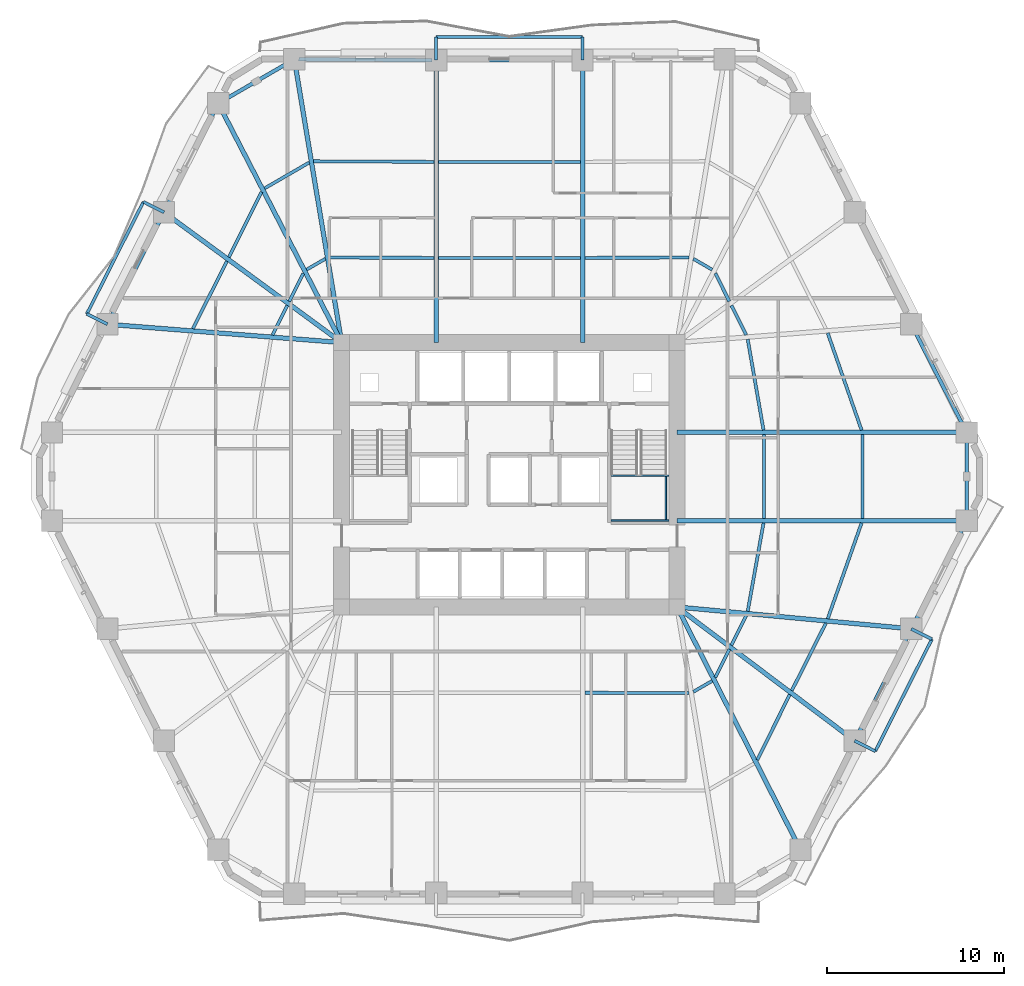
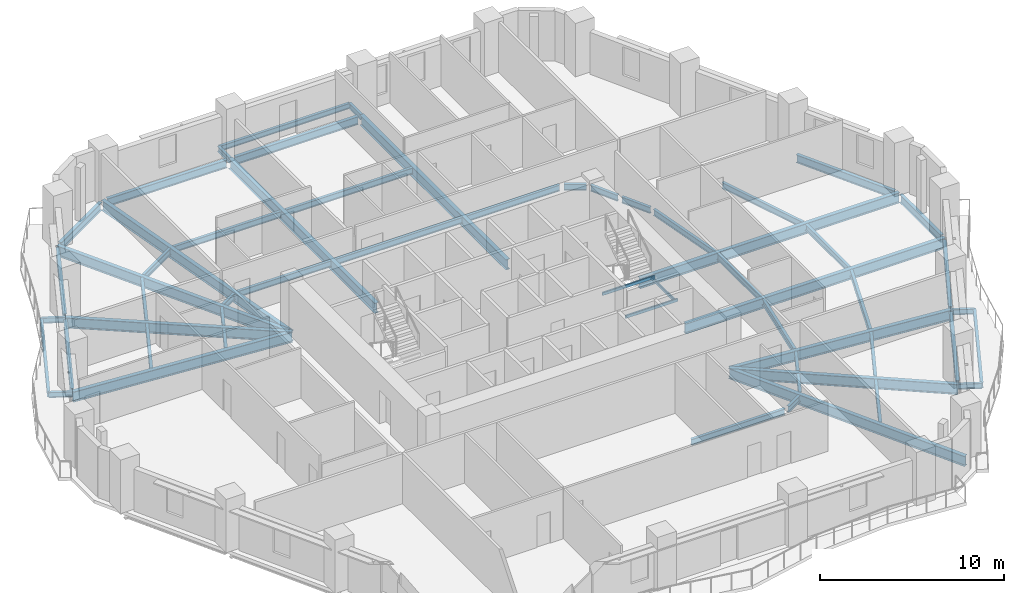
# One storey, part 2 of 13: 58 beams.
"""IFC4 building model written with IfcOpenShell, lengths in metres."""

from ifc_helpers import new_model, si_unit, direction, frame, origin, origin_2d, place, context, subcontext, project, spatial, hollow_rectangle, i_section, extrude, material, material_profile, profile_set, type_object, element, save


model = new_model("IFC4")

# Units and contexts
model_context = context("Model", 3, precision=1e-05, world=origin(), true_north=direction((0.0, 1.0)))
body_context = subcontext(model_context, "Body", "Model", "MODEL_VIEW")
ifc_project = project(units=[si_unit("LENGTHUNIT", "METRE"), si_unit("AREAUNIT", "SQUARE_METRE"), si_unit("VOLUMEUNIT", "CUBIC_METRE"), si_unit("PLANEANGLEUNIT", "RADIAN"), si_unit("MASSUNIT", "GRAM", prefix="KILO")], contexts=[model_context])

# Site, building, storey
site_placement = place(None, origin())
site = spatial("IfcSite", under=ifc_project, at=site_placement, CompositionType="ELEMENT")
building_placement = place(site_placement, origin())
building = spatial("IfcBuilding", under=site, at=building_placement, Name="Cinnabar Lancet Tower", CompositionType="ELEMENT")
storey_placement = place(building_placement, frame((0.0, 0.0, 49.75)))
storey = spatial("IfcBuildingStorey", under=building, at=storey_placement, Name="L12", CompositionType="ELEMENT", Elevation=49.75)

# Beams
ifc_material_1 = material(Name="Structural steel S355", Category="steel")
ifc_material_profile_1 = material_profile(ifc_material_1, i_section(OverallWidth=0.177978515625, OverallDepth=0.406494140625, WebThickness=0.0078125, FlangeThickness=0.0126953125, FilletRadius=0.01025390625, at=origin_2d()), Name="UKB 406x178x60")
ifc_profile_set_1 = profile_set([ifc_material_profile_1], Name="Structural steel S355")
beam_type_1 = type_object("IfcBeamType", Name="STR-BM-JST-406", PredefinedType="JOIST", material=ifc_profile_set_1)
beam_1_placement = place(storey_placement, frame((36.64892578125, 13.616943359375, -0.423095703125), z_axis=(0.999996783932, -0.002536163472, 0.0), x_axis=(0.002536163472, 0.999996783932, 0.0)))
element("IfcBeam", 1, at=beam_1_placement, inside=storey, type_object=beam_type_1, Name="L12 Secondary Floor Joist 14", PredefinedType="JOIST", context=body_context, shape_type="SweptSolid", body=[
    extrude(i_section(OverallWidth=0.177978515625, OverallDepth=0.406494140625, WebThickness=0.0078125, FlangeThickness=0.0126953125, FilletRadius=0.01025390625, at=origin_2d()), origin(), (0.0, 0.0, 1.0), 5.8720703125),
])
beam_2_placement = place(storey_placement, frame((42.76708984375, 13.669921875, -0.423095703125), z_axis=(0.865417177575, 0.50105200205, 0.0), x_axis=(-0.50105200205, 0.865417177575, 0.0)))
element("IfcBeam", 2, at=beam_2_placement, inside=storey, type_object=beam_type_1, Name="L12 Secondary Floor Joist 16", PredefinedType="JOIST", context=body_context, shape_type="SweptSolid", body=[
    extrude(i_section(OverallWidth=0.177978515625, OverallDepth=0.406494140625, WebThickness=0.0078125, FlangeThickness=0.0126953125, FilletRadius=0.01025390625, at=origin_2d()), origin(), (0.0, 0.0, 1.0), 1.223388671875),
])
beam_3_placement = place(storey_placement, frame((46.3701171875, 9.837890625, -0.423095703125), z_axis=(0.445807799253, 0.895128709251, 0.0), x_axis=(-0.895128709251, 0.445807799253, 0.0)))
element("IfcBeam", 3, at=beam_3_placement, inside=storey, type_object=beam_type_1, Name="L12 Secondary Floor Joist 17", PredefinedType="JOIST", context=body_context, shape_type="SweptSolid", body=[
    extrude(i_section(OverallWidth=0.177978515625, OverallDepth=0.406494140625, WebThickness=0.0078125, FlangeThickness=0.0126953125, FilletRadius=0.01025390625, at=origin_2d()), origin(), (0.0, 0.0, 1.0), 4.10009765625),
])
beam_4_placement = place(storey_placement, frame((44.006103515625, 14.488037109375, -0.423095703125), z_axis=(0.445778141453, 0.895143479339, 0.0), x_axis=(-0.895143479339, 0.445778141453, 0.0)))
element("IfcBeam", 4, at=beam_4_placement, inside=storey, type_object=beam_type_1, Name="L12 Secondary Floor Joist 18", PredefinedType="JOIST", context=body_context, shape_type="SweptSolid", body=[
    extrude(i_section(OverallWidth=0.177978515625, OverallDepth=0.406494140625, WebThickness=0.0078125, FlangeThickness=0.0126953125, FilletRadius=0.01025390625, at=origin_2d()), origin(), (0.0, 0.0, 1.0), 1.76953125),
])
beam_5_placement = place(storey_placement, frame((48.31396484375, 13.739013671875, -0.423095703125), z_axis=(0.450763900798, 0.892643213012, 0.0), x_axis=(-0.892643213012, 0.450763900798, 0.0)))
element("IfcBeam", 5, at=beam_5_placement, inside=storey, type_object=beam_type_1, Name="L12 Secondary Floor Joist 19", PredefinedType="JOIST", context=body_context, shape_type="SweptSolid", body=[
    extrude(i_section(OverallWidth=0.177978515625, OverallDepth=0.406494140625, WebThickness=0.0078125, FlangeThickness=0.0126953125, FilletRadius=0.01025390625, at=origin_2d()), origin(), (0.0, 0.0, 1.0), 4.25927734375),
])
beam_6_placement = place(storey_placement, frame((44.910888671875, 16.302978515625, -0.423095703125), z_axis=(0.450737053799, 0.892656769611, 0.0), x_axis=(-0.892656769611, 0.450737053799, 0.0)))
element("IfcBeam", 6, at=beam_6_placement, inside=storey, type_object=beam_type_1, Name="L12 Secondary Floor Joist 20", PredefinedType="JOIST", context=body_context, shape_type="SweptSolid", body=[
    extrude(i_section(OverallWidth=0.177978515625, OverallDepth=0.406494140625, WebThickness=0.0078125, FlangeThickness=0.0126953125, FilletRadius=0.01025390625, at=origin_2d()), origin(), (0.0, 0.0, 1.0), 1.855224609375),
])
beam_7_placement = place(storey_placement, frame((50.339111328125, 17.785888671875, -0.423095703125), z_axis=(0.333384030214, 0.942791115995, 0.0), x_axis=(-0.942791115995, 0.333384030214, 0.0)))
element("IfcBeam", 7, at=beam_7_placement, inside=storey, type_object=beam_type_1, Name="L12 Secondary Floor Joist 21", PredefinedType="JOIST", context=body_context, shape_type="SweptSolid", body=[
    extrude(i_section(OverallWidth=0.177978515625, OverallDepth=0.406494140625, WebThickness=0.0078125, FlangeThickness=0.0126953125, FilletRadius=0.01025390625, at=origin_2d()), origin(), (0.0, 0.0, 1.0), 5.728759765625),
])
beam_8_placement = place(storey_placement, frame((45.8310546875, 18.2060546875, -0.423095703125), z_axis=(0.176248165752, 0.98434576449, 0.0), x_axis=(-0.98434576449, 0.176248165752, 0.0)))
element("IfcBeam", 8, at=beam_8_placement, inside=storey, type_object=beam_type_1, Name="L12 Secondary Floor Joist 22", PredefinedType="JOIST", context=body_context, shape_type="SweptSolid", body=[
    extrude(i_section(OverallWidth=0.177978515625, OverallDepth=0.406494140625, WebThickness=0.0078125, FlangeThickness=0.0126953125, FilletRadius=0.01025390625, at=origin_2d()), origin(), (0.0, 0.0, 1.0), 5.06005859375),
])
for number, where, z_axis, x_axis, name in (
    (9, (52.2939453125, 23.44091796875, -0.423095703125), (0.0, 1.0, 0.0), (-1.0, 0.0, 0.0), "L12 Secondary Floor Joist 23"),
    (10, (46.7451171875, 23.44091796875, -0.423095703125), (0.0, 1.0, 0.0), (-1.0, 0.0, 0.0), "L12 Secondary Floor Joist 24"),
):
    element("IfcBeam", number, at=place(storey_placement, frame(where, z_axis=z_axis, x_axis=x_axis)), inside=storey, type_object=beam_type_1, Name=name, PredefinedType="JOIST", context=body_context, shape_type="SweptSolid", body=[
        extrude(i_section(OverallWidth=0.177978515625, OverallDepth=0.406494140625, WebThickness=0.0078125, FlangeThickness=0.0126953125, FilletRadius=0.01025390625, at=origin_2d()), origin(), (0.0, 0.0, 1.0), 4.718017578125),
    ])
beam_9_placement = place(storey_placement, frame((52.2490234375, 28.4130859375, -0.423095703125), z_axis=(-0.329541584143, 0.944141061664, 0.0), x_axis=(-0.944141061664, -0.329541584143, 0.0)))
element("IfcBeam", 11, at=beam_9_placement, inside=storey, type_object=beam_type_1, Name="L12 Secondary Floor Joist 25", PredefinedType="JOIST", context=body_context, shape_type="SweptSolid", body=[
    extrude(i_section(OverallWidth=0.177978515625, OverallDepth=0.406494140625, WebThickness=0.0078125, FlangeThickness=0.0126953125, FilletRadius=0.01025390625, at=origin_2d()), origin(), (0.0, 0.0, 1.0), 5.795654296875),
])
beam_10_placement = place(storey_placement, frame((46.722900390625, 28.4130859375, -0.423095703125), z_axis=(-0.171608810888, 0.985165171951, 0.0), x_axis=(-0.985165171951, -0.171608810888, 0.0)))
element("IfcBeam", 12, at=beam_10_placement, inside=storey, type_object=beam_type_1, Name="L12 Secondary Floor Joist 26", PredefinedType="JOIST", context=body_context, shape_type="SweptSolid", body=[
    extrude(i_section(OverallWidth=0.177978515625, OverallDepth=0.406494140625, WebThickness=0.0078125, FlangeThickness=0.0126953125, FilletRadius=0.01025390625, at=origin_2d()), origin(), (0.0, 0.0, 1.0), 5.197021484375),
])
beam_11_placement = place(storey_placement, frame((45.7470703125, 33.781005859375, -0.423095703125), z_axis=(-0.450525338421, 0.89276364142, 0.0), x_axis=(-0.89276364142, -0.450525338421, 0.0)))
element("IfcBeam", 13, at=beam_11_placement, inside=storey, type_object=beam_type_1, Name="L12 Secondary Floor Joist 28", PredefinedType="JOIST", context=body_context, shape_type="SweptSolid", body=[
    extrude(i_section(OverallWidth=0.177978515625, OverallDepth=0.406494140625, WebThickness=0.0078125, FlangeThickness=0.0126953125, FilletRadius=0.01025390625, at=origin_2d()), origin(), (0.0, 0.0, 1.0), 1.85595703125),
])
beam_12_placement = place(storey_placement, frame((44.794921875, 35.66796875, -0.423095703125), z_axis=(-0.445778141453, 0.895143479339, 0.0), x_axis=(-0.895143479339, -0.445778141453, 0.0)))
element("IfcBeam", 14, at=beam_12_placement, inside=storey, type_object=beam_type_1, Name="L12 Secondary Floor Joist 30", PredefinedType="JOIST", context=body_context, shape_type="SweptSolid", body=[
    extrude(i_section(OverallWidth=0.177978515625, OverallDepth=0.406494140625, WebThickness=0.0078125, FlangeThickness=0.0126953125, FilletRadius=0.01025390625, at=origin_2d()), origin(), (0.0, 0.0, 1.0), 1.76953125),
])
beam_13_placement = place(storey_placement, frame((43.825927734375, 37.45703125, -0.423095703125), z_axis=(-0.865417177575, 0.50105200205, 0.0), x_axis=(-0.50105200205, -0.865417177575, 0.0)))
element("IfcBeam", 15, at=beam_13_placement, inside=storey, type_object=beam_type_1, Name="L12 Secondary Floor Joist 32", PredefinedType="JOIST", context=body_context, shape_type="SweptSolid", body=[
    extrude(i_section(OverallWidth=0.177978515625, OverallDepth=0.406494140625, WebThickness=0.0078125, FlangeThickness=0.0126953125, FilletRadius=0.01025390625, at=origin_2d()), origin(), (0.0, 0.0, 1.0), 1.223388671875),
])
beam_14_placement = place(storey_placement, frame((42.52099609375, 38.137939453125, -0.423095703125), z_axis=(-0.999996783932, -0.002536163472, 0.0), x_axis=(0.002536163472, -0.999996783932, 0.0)))
element("IfcBeam", 16, at=beam_14_placement, inside=storey, type_object=beam_type_1, Name="L12 Secondary Floor Joist 34", PredefinedType="JOIST", context=body_context, shape_type="SweptSolid", body=[
    extrude(i_section(OverallWidth=0.177978515625, OverallDepth=0.406494140625, WebThickness=0.0078125, FlangeThickness=0.0126953125, FilletRadius=0.01025390625, at=origin_2d()), origin(), (0.0, 0.0, 1.0), 5.8720703125),
])
for number, where, z_axis, x_axis, name in (
    (17, (36.39501953125, 43.531005859375, -0.423095703125), (-1.0, 0.0, 0.0), (0.0, -1.0, 0.0), "L12 Secondary Floor Joist 35"),
    (18, (36.39501953125, 38.1220703125, -0.423095703125), (-1.0, 0.0, 0.0), (0.0, -1.0, 0.0), "L12 Secondary Floor Joist 36"),
):
    element("IfcBeam", number, at=place(storey_placement, frame(where, z_axis=z_axis, x_axis=x_axis)), inside=storey, type_object=beam_type_1, Name=name, PredefinedType="JOIST", context=body_context, shape_type="SweptSolid", body=[
        extrude(i_section(OverallWidth=0.177978515625, OverallDepth=0.406494140625, WebThickness=0.0078125, FlangeThickness=0.0126953125, FilletRadius=0.01025390625, at=origin_2d()), origin(), (0.0, 0.0, 1.0), 7.989990234375),
    ])
beam_15_placement = place(storey_placement, frame((28.15087890625, 43.531982421875, -0.423095703125), z_axis=(-0.999988870422, 0.004717947923, 0.0), x_axis=(-0.004717947923, -0.999988870422, 0.0)))
element("IfcBeam", 19, at=beam_15_placement, inside=storey, type_object=beam_type_1, Name="L12 Secondary Floor Joist 37", PredefinedType="JOIST", context=body_context, shape_type="SweptSolid", body=[
    extrude(i_section(OverallWidth=0.177978515625, OverallDepth=0.406494140625, WebThickness=0.0078125, FlangeThickness=0.0126953125, FilletRadius=0.01025390625, at=origin_2d()), origin(), (0.0, 0.0, 1.0), 6.77880859375),
])
beam_16_placement = place(storey_placement, frame((28.15087890625, 38.123046875, -0.423095703125), z_axis=(-0.999996783665, 0.00253626892, 0.0), x_axis=(-0.00253626892, -0.999996783665, 0.0)))
element("IfcBeam", 20, at=beam_16_placement, inside=storey, type_object=beam_type_1, Name="L12 Secondary Floor Joist 38", PredefinedType="JOIST", context=body_context, shape_type="SweptSolid", body=[
    extrude(i_section(OverallWidth=0.177978515625, OverallDepth=0.406494140625, WebThickness=0.0078125, FlangeThickness=0.0126953125, FilletRadius=0.01025390625, at=origin_2d()), origin(), (0.0, 0.0, 1.0), 5.871826171875),
])
beam_17_placement = place(storey_placement, frame((21.1259765625, 43.4970703125, -0.423095703125), z_axis=(-0.865209684948, -0.501410212373, 0.0), x_axis=(0.501410212373, -0.865209684948, 0.0)))
element("IfcBeam", 21, at=beam_17_placement, inside=storey, type_object=beam_type_1, Name="L12 Secondary Floor Joist 39", PredefinedType="JOIST", context=body_context, shape_type="SweptSolid", body=[
    extrude(i_section(OverallWidth=0.177978515625, OverallDepth=0.406494140625, WebThickness=0.0078125, FlangeThickness=0.0126953125, FilletRadius=0.01025390625, at=origin_2d()), origin(), (0.0, 0.0, 1.0), 2.90771484375),
])
beam_18_placement = place(storey_placement, frame((22.032958984375, 38.070068359375, -0.423095703125), z_axis=(-0.865417177575, -0.50105200205, 0.0), x_axis=(0.50105200205, -0.865417177575, 0.0)))
element("IfcBeam", 22, at=beam_18_placement, inside=storey, type_object=beam_type_1, Name="L12 Secondary Floor Joist 40", PredefinedType="JOIST", context=body_context, shape_type="SweptSolid", body=[
    extrude(i_section(OverallWidth=0.177978515625, OverallDepth=0.406494140625, WebThickness=0.0078125, FlangeThickness=0.0126953125, FilletRadius=0.01025390625, at=origin_2d()), origin(), (0.0, 0.0, 1.0), 1.223388671875),
])
beam_19_placement = place(storey_placement, frame((18.429931640625, 41.8349609375, -0.423095703125), z_axis=(-0.445641523434, -0.895211501597, 0.0), x_axis=(0.895211501597, -0.445641523434, 0.0)))
element("IfcBeam", 23, at=beam_19_placement, inside=storey, type_object=beam_type_1, Name="L12 Secondary Floor Joist 41", PredefinedType="JOIST", context=body_context, shape_type="SweptSolid", body=[
    extrude(i_section(OverallWidth=0.177978515625, OverallDepth=0.406494140625, WebThickness=0.0078125, FlangeThickness=0.0126953125, FilletRadius=0.01025390625, at=origin_2d()), origin(), (0.0, 0.0, 1.0), 4.1015625),
])
beam_20_placement = place(storey_placement, frame((20.7939453125, 37.251953125, -0.423095703125), z_axis=(-0.445888683384, -0.895088421347, 0.0), x_axis=(0.895088421347, -0.445888683384, 0.0)))
element("IfcBeam", 24, at=beam_20_placement, inside=storey, type_object=beam_type_1, Name="L12 Secondary Floor Joist 42", PredefinedType="JOIST", context=body_context, shape_type="SweptSolid", body=[
    extrude(i_section(OverallWidth=0.177978515625, OverallDepth=0.406494140625, WebThickness=0.0078125, FlangeThickness=0.0126953125, FilletRadius=0.01025390625, at=origin_2d()), origin(), (0.0, 0.0, 1.0), 1.76953125),
])
beam_21_placement = place(storey_placement, frame((16.486083984375, 37.93310546875, -0.423095703125), z_axis=(-0.450901848865, -0.892573539094, 0.0), x_axis=(0.892573539094, -0.450901848865, 0.0)))
element("IfcBeam", 25, at=beam_21_placement, inside=storey, type_object=beam_type_1, Name="L12 Secondary Floor Joist 43", PredefinedType="JOIST", context=body_context, shape_type="SweptSolid", body=[
    extrude(i_section(OverallWidth=0.177978515625, OverallDepth=0.406494140625, WebThickness=0.0078125, FlangeThickness=0.0126953125, FilletRadius=0.01025390625, at=origin_2d()), origin(), (0.0, 0.0, 1.0), 4.258544921875),
])
beam_22_placement = place(storey_placement, frame((19.888916015625, 35.43798828125, -0.423095703125), z_axis=(-0.450420487985, -0.892816545547, 0.0), x_axis=(0.892816545547, -0.450420487985, 0.0)))
element("IfcBeam", 26, at=beam_22_placement, inside=storey, type_object=beam_type_1, Name="L12 Secondary Floor Joist 44", PredefinedType="JOIST", context=body_context, shape_type="SweptSolid", body=[
    extrude(i_section(OverallWidth=0.177978515625, OverallDepth=0.406494140625, WebThickness=0.0078125, FlangeThickness=0.0126953125, FilletRadius=0.01025390625, at=origin_2d()), origin(), (0.0, 0.0, 1.0), 1.85595703125),
])
ifc_material_2 = material(Name="Structural steel S355", Category="steel")
ifc_material_profile_2 = material_profile(ifc_material_2, hollow_rectangle(XDim=0.10009765625, YDim=0.199951171875, WallThickness=0.008056640625, InnerFilletRadius=0.00390625, OuterFilletRadius=0.011962890625, at=origin_2d()), Name="RHS 200x100x8")
ifc_profile_set_2 = profile_set([ifc_material_profile_2], Name="Structural steel S355")
beam_type_2 = type_object("IfcBeamType", Name="STR-BM-LND-203", PredefinedType="BEAM", material=ifc_profile_set_2)
for number, where, z_axis, x_axis, name in (
    (27, (38.1201171875, 23.330078125, 1.47509765625), (1.0, 0.0, 0.0), (0.0, 1.0, 0.0), "L12 ST-2-L12 Landing Support Beam S"),
    (28, (38.1201171875, 25.844970703125, 1.47509765625), (1.0, 0.0, 0.0), (0.0, 1.0, 0.0), "L12 ST-2-L12 Landing Support Beam N"),
):
    element("IfcBeam", number, at=place(storey_placement, frame(where, z_axis=z_axis, x_axis=x_axis)), inside=storey, type_object=beam_type_2, Name=name, PredefinedType="BEAM", context=body_context, shape_type="SweptSolid", body=[
        extrude(hollow_rectangle(XDim=0.10009765625, YDim=0.199951171875, WallThickness=0.008056640625, InnerFilletRadius=0.00390625, OuterFilletRadius=0.011962890625, at=origin_2d()), origin(), (0.0, 0.0, 1.0), 3.27978515625),
    ])
beam_23_placement = place(storey_placement, frame((41.219970703125, 23.3798828125, 1.47509765625), z_axis=(0.0, 1.0, 0.0), x_axis=(-1.0, 0.0, 0.0)))
element("IfcBeam", 29, at=beam_23_placement, inside=storey, type_object=beam_type_2, Name="L12 ST-2-L12 Landing Side Trimmer Beam", PredefinedType="BEAM", context=body_context, shape_type="SweptSolid", body=[
    extrude(hollow_rectangle(XDim=0.10009765625, YDim=0.199951171875, WallThickness=0.008056640625, InnerFilletRadius=0.00390625, OuterFilletRadius=0.011962890625, at=origin_2d()), origin(), (0.0, 0.0, 1.0), 2.4150390625),
])
ifc_material_3 = material(Name="Structural steel S355", Category="steel")
ifc_material_profile_3 = material_profile(ifc_material_3, i_section(OverallWidth=0.209228515625, OverallDepth=0.533203125, WebThickness=0.010009765625, FlangeThickness=0.015625, FilletRadius=0.0126953125, at=origin_2d()), Name="UKB 533x210x92")
ifc_profile_set_3 = profile_set([ifc_material_profile_3], Name="Structural steel S355")
beam_type_3 = type_object("IfcBeamType", Name="STR-BM-SPN-533", PredefinedType="SPANDREL", material=ifc_profile_set_3)
beam_24_placement = place(storey_placement, frame((51.971923828125, 11.132080078125, -0.487060546875), z_axis=(0.450703143926, 0.892673891214, 0.0), x_axis=(-0.892673891214, 0.450703143926, 0.0)))
element("IfcBeam", 30, at=beam_24_placement, inside=storey, type_object=beam_type_3, Name="L12 Perimeter Spandrel 6", PredefinedType="SPANDREL", context=body_context, shape_type="SweptSolid", body=[
    extrude(i_section(OverallWidth=0.209228515625, OverallDepth=0.533203125, WebThickness=0.010009765625, FlangeThickness=0.015625, FilletRadius=0.0126953125, at=origin_2d()), origin(), (0.0, 0.0, 1.0), 6.570068359375),
])
beam_25_placement = place(storey_placement, frame((55.159912109375, 17.443115234375, -0.487060546875), z_axis=(0.456024522632, 0.889967209934, 0.0), x_axis=(-0.889967209934, 0.456024522632, 0.0)))
element("IfcBeam", 31, at=beam_25_placement, inside=storey, type_object=beam_type_3, Name="L12 Perimeter Spandrel 7", PredefinedType="SPANDREL", context=body_context, shape_type="SweptSolid", body=[
    extrude(i_section(OverallWidth=0.209228515625, OverallDepth=0.533203125, WebThickness=0.010009765625, FlangeThickness=0.015625, FilletRadius=0.0126953125, at=origin_2d()), origin(), (0.0, 0.0, 1.0), 6.34619140625),
])
beam_26_placement = place(storey_placement, frame((58.16796875, 23.56396484375, -0.487060546875), z_axis=(0.0, 1.0, 0.0), x_axis=(-1.0, 0.0, 0.0)))
element("IfcBeam", 32, at=beam_26_placement, inside=storey, type_object=beam_type_3, Name="L12 Perimeter Spandrel 8", PredefinedType="SPANDREL", context=body_context, shape_type="SweptSolid", body=[
    extrude(i_section(OverallWidth=0.209228515625, OverallDepth=0.533203125, WebThickness=0.010009765625, FlangeThickness=0.015625, FilletRadius=0.0126953125, at=origin_2d()), origin(), (0.0, 0.0, 1.0), 4.471923828125),
])
beam_27_placement = place(storey_placement, frame((58.053955078125, 28.509033203125, -0.487060546875), z_axis=(-0.456024522632, 0.889967209934, 0.0), x_axis=(-0.889967209934, -0.456024522632, 0.0)))
element("IfcBeam", 33, at=beam_27_placement, inside=storey, type_object=beam_type_3, Name="L12 Perimeter Spandrel 9", PredefinedType="SPANDREL", context=body_context, shape_type="SweptSolid", body=[
    extrude(i_section(OverallWidth=0.209228515625, OverallDepth=0.533203125, WebThickness=0.010009765625, FlangeThickness=0.015625, FilletRadius=0.0126953125, at=origin_2d()), origin(), (0.0, 0.0, 1.0), 6.34619140625),
])
beam_28_placement = place(storey_placement, frame((36.27197265625, 49.258056640625, -0.487060546875), z_axis=(-1.0, 0.0, 0.0), x_axis=(0.0, -1.0, 0.0)))
element("IfcBeam", 34, at=beam_28_placement, inside=storey, type_object=beam_type_3, Name="L12 Perimeter Spandrel 14", PredefinedType="SPANDREL", context=body_context, shape_type="SweptSolid", body=[
    extrude(i_section(OverallWidth=0.209228515625, OverallDepth=0.533203125, WebThickness=0.010009765625, FlangeThickness=0.015625, FilletRadius=0.0126953125, at=origin_2d()), origin(), (0.0, 0.0, 1.0), 7.743896484375),
])
beam_29_placement = place(storey_placement, frame((28.028076171875, 49.260009765625, -0.487060546875), z_axis=(-0.99997856757, 0.006547090947, 0.0), x_axis=(-0.006547090947, -0.99997856757, 0.0)))
element("IfcBeam", 35, at=beam_29_placement, inside=storey, type_object=beam_type_3, Name="L12 Perimeter Spandrel 15", PredefinedType="SPANDREL", context=body_context, shape_type="SweptSolid", body=[
    extrude(i_section(OverallWidth=0.209228515625, OverallDepth=0.533203125, WebThickness=0.010009765625, FlangeThickness=0.015625, FilletRadius=0.0126953125, at=origin_2d()), origin(), (0.0, 0.0, 1.0), 7.495361328125),
])
beam_30_placement = place(storey_placement, frame((20.06689453125, 49.18603515625, -0.487060546875), z_axis=(-0.865147238596, -0.501517951374, 0.0), x_axis=(0.501517951374, -0.865147238596, 0.0)))
element("IfcBeam", 36, at=beam_30_placement, inside=storey, type_object=beam_type_3, Name="L12 Perimeter Spandrel 16", PredefinedType="SPANDREL", context=body_context, shape_type="SweptSolid", body=[
    extrude(i_section(OverallWidth=0.209228515625, OverallDepth=0.533203125, WebThickness=0.010009765625, FlangeThickness=0.015625, FilletRadius=0.0126953125, at=origin_2d()), origin(), (0.0, 0.0, 1.0), 4.454833984375),
])
beam_31_placement = place(storey_placement, frame((15.885986328125, 46.60302734375, -0.487060546875), z_axis=(-0.445953050023, -0.89505635419, 0.0), x_axis=(0.89505635419, -0.445953050023, 0.0)))
element("IfcBeam", 37, at=beam_31_placement, inside=storey, type_object=beam_type_3, Name="L12 Perimeter Spandrel 17", PredefinedType="SPANDREL", context=body_context, shape_type="SweptSolid", body=[
    extrude(i_section(OverallWidth=0.209228515625, OverallDepth=0.533203125, WebThickness=0.010009765625, FlangeThickness=0.015625, FilletRadius=0.0126953125, at=origin_2d()), origin(), (0.0, 0.0, 1.0), 6.35498046875),
])
beam_32_placement = place(storey_placement, frame((12.827880859375, 40.468017578125, -0.487060546875), z_axis=(-0.450673532306, -0.892688841242, 0.0), x_axis=(0.892688841242, -0.450673532306, 0.0)))
element("IfcBeam", 38, at=beam_32_placement, inside=storey, type_object=beam_type_3, Name="L12 Perimeter Spandrel 18", PredefinedType="SPANDREL", context=body_context, shape_type="SweptSolid", body=[
    extrude(i_section(OverallWidth=0.209228515625, OverallDepth=0.533203125, WebThickness=0.010009765625, FlangeThickness=0.015625, FilletRadius=0.0126953125, at=origin_2d()), origin(), (0.0, 0.0, 1.0), 6.570068359375),
])
ifc_material_4 = material(Name="Structural steel S355", Category="steel")
ifc_material_profile_4 = material_profile(ifc_material_4, i_section(OverallWidth=0.253662109375, OverallDepth=0.68359375, WebThickness=0.012451171875, FlangeThickness=0.01904296875, FilletRadius=0.01513671875, at=origin_2d()), Name="UKB 686x254x140")
ifc_profile_set_4 = profile_set([ifc_material_profile_4], Name="Structural steel S355")
beam_type_4 = type_object("IfcBeamType", Name="STR-BM-UKB686-140", PredefinedType="BEAM", material=ifc_profile_set_4)
beam_33_placement = place(storey_placement, frame((51.85888671875, 10.908935546875, -0.56201171875), z_axis=(-0.798679534026, 0.601756596912, 0.0), x_axis=(-0.601756596912, -0.798679534026, 0.0)))
element("IfcBeam", 39, at=beam_33_placement, inside=storey, type_object=beam_type_4, Name="L12 Corner Collector Girder 2", PredefinedType="BEAM", context=body_context, shape_type="SweptSolid", body=[
    extrude(i_section(OverallWidth=0.253662109375, OverallDepth=0.68359375, WebThickness=0.012451171875, FlangeThickness=0.01904296875, FilletRadius=0.01513671875, at=origin_2d()), origin(), (0.0, 0.0, 1.0), 12.53173828125),
])
beam_34_placement = place(storey_placement, frame((12.94091796875, 40.69091796875, -0.56201171875), z_axis=(0.806371852816, -0.591408856026, 0.0), x_axis=(0.591408856026, 0.806371852816, 0.0)))
element("IfcBeam", 40, at=beam_34_placement, inside=storey, type_object=beam_type_4, Name="L12 Corner Collector Girder 4", PredefinedType="BEAM", context=body_context, shape_type="SweptSolid", body=[
    extrude(i_section(OverallWidth=0.253662109375, OverallDepth=0.68359375, WebThickness=0.012451171875, FlangeThickness=0.01904296875, FilletRadius=0.01513671875, at=origin_2d()), origin(), (0.0, 0.0, 1.0), 12.412353515625),
])
beam_35_placement = place(storey_placement, frame((48.802978515625, 4.77294921875, -0.56201171875), z_axis=(-0.453167599586, 0.89142533433, 0.0), x_axis=(-0.89142533433, -0.453167599586, 0.0)))
element("IfcBeam", 41, at=beam_35_placement, inside=storey, type_object=beam_type_4, Name="L12 Primary Floor Girder 5", PredefinedType="BEAM", context=body_context, shape_type="SweptSolid", body=[
    extrude(i_section(OverallWidth=0.253662109375, OverallDepth=0.68359375, WebThickness=0.012451171875, FlangeThickness=0.01904296875, FilletRadius=0.01513671875, at=origin_2d()), origin(), (0.0, 0.0, 1.0), 15.3427734375),
])
beam_36_placement = place(storey_placement, frame((55.0458984375, 17.219970703125, -0.56201171875), z_axis=(-0.99568405159, 0.092807701238, 0.0), x_axis=(-0.092807701238, -0.99568405159, 0.0)))
element("IfcBeam", 42, at=beam_36_placement, inside=storey, type_object=beam_type_4, Name="L12 Primary Floor Girder 7", PredefinedType="BEAM", context=body_context, shape_type="SweptSolid", body=[
    extrude(i_section(OverallWidth=0.253662109375, OverallDepth=0.68359375, WebThickness=0.012451171875, FlangeThickness=0.01904296875, FilletRadius=0.01513671875, at=origin_2d()), origin(), (0.0, 0.0, 1.0), 13.2529296875),
])
for number, where, z_axis, x_axis, name in (
    (43, (58.16796875, 23.31396484375, -0.56201171875), (-1.0, 0.0, 0.0), (0.0, -1.0, 0.0), "L12 Primary Floor Girder 8"),
    (44, (58.16796875, 28.285888671875, -0.56201171875), (-1.0, 0.0, 0.0), (0.0, -1.0, 0.0), "L12 Primary Floor Girder 9"),
):
    element("IfcBeam", number, at=place(storey_placement, frame(where, z_axis=z_axis, x_axis=x_axis)), inside=storey, type_object=beam_type_4, Name=name, PredefinedType="BEAM", context=body_context, shape_type="SweptSolid", body=[
        extrude(i_section(OverallWidth=0.253662109375, OverallDepth=0.68359375, WebThickness=0.012451171875, FlangeThickness=0.01904296875, FilletRadius=0.01513671875, at=origin_2d()), origin(), (0.0, 0.0, 1.0), 16.31787109375),
    ])
for number, where, z_axis, x_axis, name in (
    (45, (36.52197265625, 49.258056640625, -0.56201171875), (0.0, -1.0, 0.0), (1.0, 0.0, 0.0), "L12 Primary Floor Girder 14"),
    (46, (28.278076171875, 49.258056640625, -0.56201171875), (0.0, -1.0, 0.0), (1.0, 0.0, 0.0), "L12 Primary Floor Girder 15"),
):
    element("IfcBeam", number, at=place(storey_placement, frame(where, z_axis=z_axis, x_axis=x_axis)), inside=storey, type_object=beam_type_4, Name=name, PredefinedType="BEAM", context=body_context, shape_type="SweptSolid", body=[
        extrude(i_section(OverallWidth=0.253662109375, OverallDepth=0.68359375, WebThickness=0.012451171875, FlangeThickness=0.01904296875, FilletRadius=0.01513671875, at=origin_2d()), origin(), (0.0, 0.0, 1.0), 15.907958984375),
    ])
beam_37_placement = place(storey_placement, frame((20.282958984375, 49.31103515625, -0.56201171875), z_axis=(0.164809990854, -0.986325335229, 0.0), x_axis=(0.986325335229, 0.164809990854, 0.0)))
element("IfcBeam", 47, at=beam_37_placement, inside=storey, type_object=beam_type_4, Name="L12 Primary Floor Girder 16", PredefinedType="BEAM", context=body_context, shape_type="SweptSolid", body=[
    extrude(i_section(OverallWidth=0.253662109375, OverallDepth=0.68359375, WebThickness=0.012451171875, FlangeThickness=0.01904296875, FilletRadius=0.01513671875, at=origin_2d()), origin(), (0.0, 0.0, 1.0), 16.18212890625),
])
beam_38_placement = place(storey_placement, frame((15.9970703125, 46.826904296875, -0.56201171875), z_axis=(0.458492410387, -0.888698323177, 0.0), x_axis=(0.888698323177, 0.458492410387, 0.0)))
element("IfcBeam", 48, at=beam_38_placement, inside=storey, type_object=beam_type_4, Name="L12 Primary Floor Girder 17", PredefinedType="BEAM", context=body_context, shape_type="SweptSolid", body=[
    extrude(i_section(OverallWidth=0.253662109375, OverallDepth=0.68359375, WebThickness=0.012451171875, FlangeThickness=0.01904296875, FilletRadius=0.01513671875, at=origin_2d()), origin(), (0.0, 0.0, 1.0), 15.16455078125),
])
beam_39_placement = place(storey_placement, frame((9.75390625, 34.3798828125, -0.56201171875), z_axis=(0.99696891848, -0.077800871365, 0.0), x_axis=(0.077800871365, 0.99696891848, 0.0)))
element("IfcBeam", 49, at=beam_39_placement, inside=storey, type_object=beam_type_4, Name="L12 Primary Floor Girder 19", PredefinedType="BEAM", context=body_context, shape_type="SweptSolid", body=[
    extrude(i_section(OverallWidth=0.253662109375, OverallDepth=0.68359375, WebThickness=0.012451171875, FlangeThickness=0.01904296875, FilletRadius=0.01513671875, at=origin_2d()), origin(), (0.0, 0.0, 1.0), 13.236083984375),
])
ifc_material_5 = material(Name="Structural steel S355", Category="steel")
ifc_material_profile_5 = material_profile(ifc_material_5, i_section(OverallWidth=0.17138671875, OverallDepth=0.35498046875, WebThickness=0.00732421875, FlangeThickness=0.011474609375, FilletRadius=0.01025390625, at=origin_2d()), Name="UKB 356x171x51")
ifc_profile_set_5 = profile_set([ifc_material_profile_5], Name="Structural steel S355")
beam_type_5 = type_object("IfcBeamType", Name="STR-BM-WAV-OUT", PredefinedType="BEAM", material=ifc_profile_set_5)
for number, where, z_axis, x_axis, name in (
    (50, (51.85888671875, 10.908935546875, -0.39794921875), (0.892314203325, -0.451414845285, 0.0), (0.451414845285, 0.892314203325, 0.0), "L12 Face 2 Balcony Outlooker A"),
    (51, (55.0458984375, 17.219970703125, -0.39794921875), (0.892314203325, -0.451414845285, 0.0), (0.451414845285, 0.892314203325, 0.0), "L12 Face 2 Balcony Outlooker B"),
    (52, (36.52197265625, 49.258056640625, -0.39794921875), (0.0, 1.0, 0.0), (-1.0, 0.0, 0.0), "L12 Face 4 Balcony Outlooker A"),
    (53, (28.278076171875, 49.258056640625, -0.39794921875), (0.0, 1.0, 0.0), (-1.0, 0.0, 0.0), "L12 Face 4 Balcony Outlooker B"),
    (54, (12.94091796875, 40.69091796875, -0.39794921875), (-0.892200264127, 0.451639998995, 0.0), (-0.451639998995, -0.892200264127, 0.0), "L12 Face 5 Balcony Outlooker A"),
    (55, (9.75390625, 34.3798828125, -0.39794921875), (-0.892200264127, 0.451639998995, 0.0), (-0.451639998995, -0.892200264127, 0.0), "L12 Face 5 Balcony Outlooker B"),
):
    element("IfcBeam", number, at=place(storey_placement, frame(where, z_axis=z_axis, x_axis=x_axis)), inside=storey, type_object=beam_type_5, Name=name, PredefinedType="BEAM", context=body_context, shape_type="SweptSolid", body=[
        extrude(i_section(OverallWidth=0.17138671875, OverallDepth=0.35498046875, WebThickness=0.00732421875, FlangeThickness=0.011474609375, FilletRadius=0.01025390625, at=origin_2d()), origin(), (0.0, 0.0, 1.0), 1.300048828125),
    ])
ifc_material_6 = material(Name="Structural steel S355", Category="steel")
ifc_material_profile_6 = material_profile(ifc_material_6, i_section(OverallWidth=0.17138671875, OverallDepth=0.35498046875, WebThickness=0.00732421875, FlangeThickness=0.011474609375, FilletRadius=0.01025390625, at=origin_2d()), Name="UKB 356x171x51")
ifc_profile_set_6 = profile_set([ifc_material_profile_6], Name="Structural steel S355")
beam_type_6 = type_object("IfcBeamType", Name="STR-BM-WAV-TRIM", PredefinedType="SPANDREL", material=ifc_profile_set_6)
beam_40_placement = place(storey_placement, frame((53.01904296875, 10.322021484375, -0.39794921875), z_axis=(0.450773692627, 0.892638268301, 0.0), x_axis=(-0.892638268301, 0.450773692627, 0.0)))
element("IfcBeam", 56, at=beam_40_placement, inside=storey, type_object=beam_type_6, Name="L12 Face 2 Balcony Edge Trimmer", PredefinedType="SPANDREL", context=body_context, shape_type="SweptSolid", body=[
    extrude(i_section(OverallWidth=0.17138671875, OverallDepth=0.35498046875, WebThickness=0.00732421875, FlangeThickness=0.011474609375, FilletRadius=0.01025390625, at=origin_2d()), origin(), (0.0, 0.0, 1.0), 7.070068359375),
])
beam_41_placement = place(storey_placement, frame((36.52197265625, 50.55810546875, -0.39794921875), z_axis=(-1.0, 0.0, 0.0), x_axis=(0.0, -1.0, 0.0)))
element("IfcBeam", 57, at=beam_41_placement, inside=storey, type_object=beam_type_6, Name="L12 Face 4 Balcony Edge Trimmer", PredefinedType="SPANDREL", context=body_context, shape_type="SweptSolid", body=[
    extrude(i_section(OverallWidth=0.17138671875, OverallDepth=0.35498046875, WebThickness=0.00732421875, FlangeThickness=0.011474609375, FilletRadius=0.01025390625, at=origin_2d()), origin(), (0.0, 0.0, 1.0), 8.243896484375),
])
beam_42_placement = place(storey_placement, frame((11.781005859375, 41.278076171875, -0.39794921875), z_axis=(-0.450773692627, -0.892638268301, 0.0), x_axis=(0.892638268301, -0.450773692627, 0.0)))
element("IfcBeam", 58, at=beam_42_placement, inside=storey, type_object=beam_type_6, Name="L12 Face 5 Balcony Edge Trimmer", PredefinedType="SPANDREL", context=body_context, shape_type="SweptSolid", body=[
    extrude(i_section(OverallWidth=0.17138671875, OverallDepth=0.35498046875, WebThickness=0.00732421875, FlangeThickness=0.011474609375, FilletRadius=0.01025390625, at=origin_2d()), origin(), (0.0, 0.0, 1.0), 7.070068359375),
])

save(model, "model.ifc")
